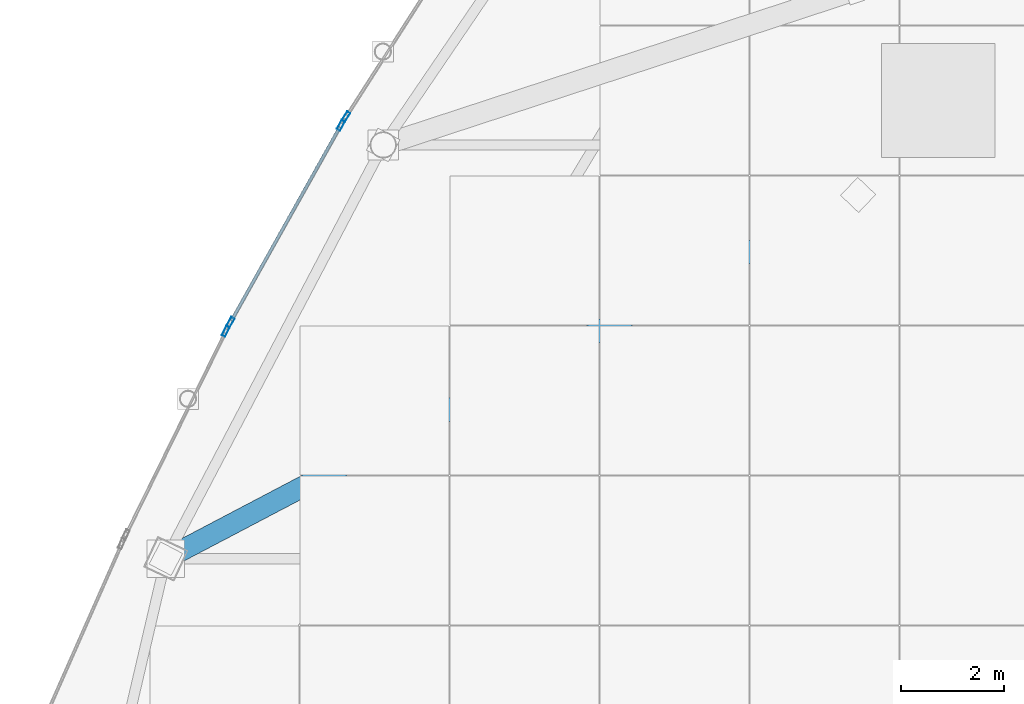
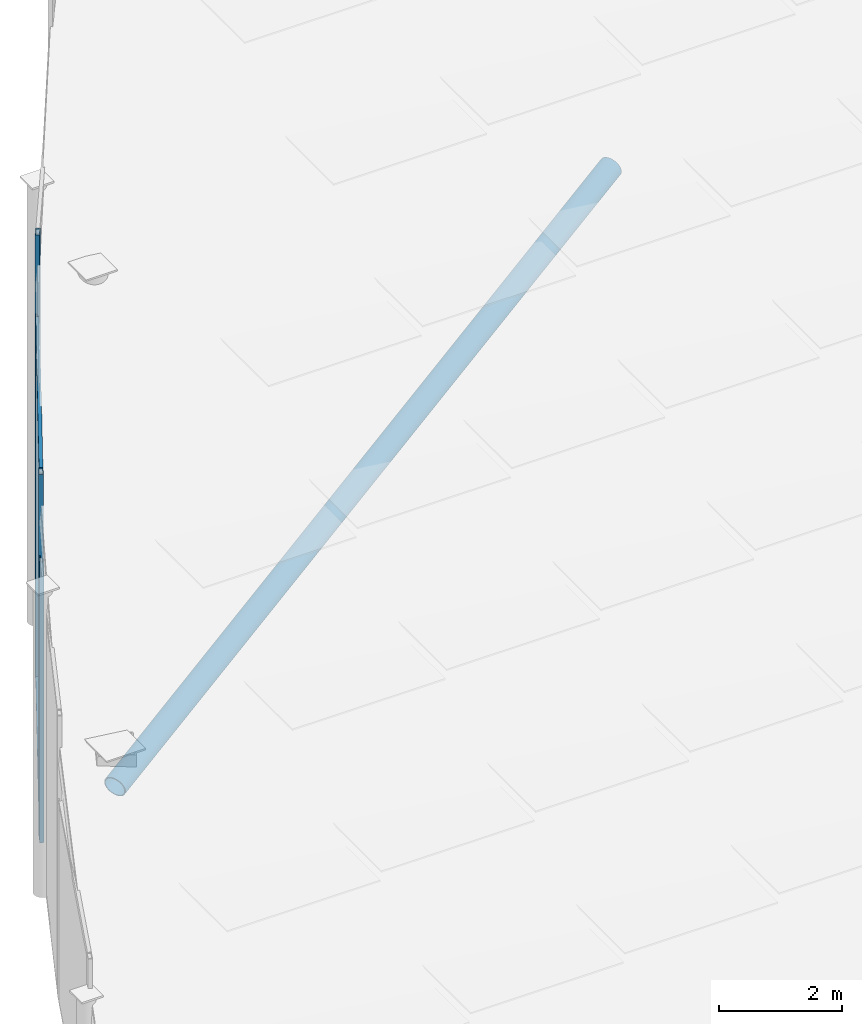
# One storey, part 6 of 21: 7 members, 3 elements without a shape of their own.
"""IFC4 building model written with IfcOpenShell, lengths in metres."""

import ifcopenshell
import ifcopenshell.guid

model = None  # the IFC model being written
_history = None  # IfcOwnerHistory: only IFC2X3 demands one
_inside = {}  # id of a spatial element -> (the spatial element, [elements in it])
_under = {}  # id of a project, library or spatial element -> (it, [spatial elements below it])
_declared = {}  # id of a project -> (the project, [libraries it declares])
_typed = {}  # id of a type object -> (the type object, [elements of that type])
_made_of = {}  # id of a material, layer set ... -> (it, [elements and type objects made of it])


def new_model(schema):
    """Start an empty IFC model of exactly this schema.

    Asked for "IFC4X3", IfcOpenShell would pick the latest addendum, in which some entities
    have other attributes; the version numbers below select the first issue.
    IFC2X3 requires an IfcOwnerHistory on every rooted entity: one is made here for all.
    """
    global model, _history
    if schema == "IFC4X3":
        model = ifcopenshell.file(schema_version=(4, 3, 0, 0))
    else:
        model = ifcopenshell.file(schema=schema)
    _inside.clear()
    _under.clear()
    _declared.clear()
    _typed.clear()
    _made_of.clear()
    _history = None
    if model.schema == "IFC2X3":
        org = make("IfcOrganization", Name="unknown")
        user = make(
            "IfcPersonAndOrganization",
            ThePerson=make("IfcPerson", FamilyName="unknown"),
            TheOrganization=org,
        )
        app = make(
            "IfcApplication",
            ApplicationDeveloper=org,
            Version="unknown",
            ApplicationFullName="unknown",
            ApplicationIdentifier="unknown",
        )
        _history = make(
            "IfcOwnerHistory",
            OwningUser=user,
            OwningApplication=app,
            ChangeAction="ADDED",
            CreationDate=0,
        )
    return model


def make(cls, **values):
    """One entity of the class cls with the attributes given. An attribute that is None is left unset."""
    return model.create_entity(
        cls, **{name: value for name, value in values.items() if value is not None}
    )


def rooted(cls, **values):
    """An entity with a GlobalId (a new one), such as an element, a storey or a relation."""
    return make(cls, GlobalId=ifcopenshell.guid.new(), OwnerHistory=_history, **values)


def si_unit(unit_type, name, prefix=None):
    """IfcSIUnit, for example si_unit("LENGTHUNIT", "METRE", prefix="MILLI")."""
    return make("IfcSIUnit", UnitType=unit_type, Prefix=prefix, Name=name)


def assignment(units):
    """IfcUnitAssignment: the units of a project."""
    return None if units is None else make("IfcUnitAssignment", Units=units)


def point(xyz):
    """IfcCartesianPoint."""
    return None if xyz is None else make("IfcCartesianPoint", Coordinates=xyz)


def direction(xyz):
    """IfcDirection."""
    return None if xyz is None else make("IfcDirection", DirectionRatios=xyz)


def frame(location, z_axis=None, x_axis=None):
    """IfcAxis2Placement3D, a coordinate frame: its origin and axes. An axis left out is left unset."""
    return make(
        "IfcAxis2Placement3D",
        Location=point(location),
        Axis=direction(z_axis),
        RefDirection=direction(x_axis),
    )


def frame_2d(location, x_axis=None):
    """IfcAxis2Placement2D, a coordinate frame in the plane: its origin and x axis."""
    return make(
        "IfcAxis2Placement2D", Location=point(location), RefDirection=direction(x_axis)
    )


def origin():
    """The frame at (0, 0, 0) with its axes left unset."""
    return frame((0.0, 0.0, 0.0))


def origin_2d():
    """The frame at (0, 0) in the plane with its x axis left unset."""
    return frame_2d((0.0, 0.0))


def place(relative_to, where):
    """IfcLocalPlacement: puts the frame where relative to a parent placement (None: the world)."""
    return make(
        "IfcLocalPlacement", PlacementRelTo=relative_to, RelativePlacement=where
    )


def context(
    kind, dimensions, precision=None, world=None, true_north=None, identifier=None
):
    """IfcGeometricRepresentationContext, for example the 3D "Model" context."""
    return make(
        "IfcGeometricRepresentationContext",
        ContextIdentifier=identifier,
        ContextType=kind,
        CoordinateSpaceDimension=dimensions,
        Precision=precision,
        WorldCoordinateSystem=world,
        TrueNorth=true_north,
    )


def subcontext(parent, identifier, kind, view, scale=None):
    """IfcGeometricRepresentationSubContext, for example "Body" below "Model"."""
    return make(
        "IfcGeometricRepresentationSubContext",
        ContextIdentifier=identifier,
        ContextType=kind,
        ParentContext=parent,
        TargetScale=scale,
        TargetView=view,
    )


def project(units=None, contexts=None):
    """IfcProject with its units and contexts."""
    return rooted(
        "IfcProject",
        Name="project",
        RepresentationContexts=contexts,
        UnitsInContext=assignment(units),
    )


def spatial(cls, under=None, at=None, **own):
    """A site, building, storey or space (cls), placed at a placement, below another one or the project."""
    s = rooted(cls, ObjectPlacement=at, **own)
    if under is not None:
        _under.setdefault(under.id(), (under, []))[1].append(s)
    return s


def profile(cls, at=None, kind="AREA", **sizes):
    """A parametric profile (cls). Its sizes go by their IFC names, for example OverallWidth=200.0."""
    return make(cls, ProfileType=kind, Position=at, **sizes)


def hollow_rectangle(**sizes):
    """IfcRectangleHollowProfileDef."""
    return profile("IfcRectangleHollowProfileDef", **sizes)


def hollow_circle(**sizes):
    """IfcCircleHollowProfileDef."""
    return profile("IfcCircleHollowProfileDef", **sizes)


def extrude(swept, where, along, depth):
    """IfcExtrudedAreaSolid: the profile swept, set in the frame where, extruded along a direction by depth."""
    return make(
        "IfcExtrudedAreaSolid",
        SweptArea=swept,
        Position=where,
        ExtrudedDirection=direction(along),
        Depth=depth,
    )


def shape(context_of_items, identifier, shape_type, items):
    """IfcShapeRepresentation: the items that make up one representation, for example the "Body"."""
    return make(
        "IfcShapeRepresentation",
        ContextOfItems=context_of_items,
        RepresentationIdentifier=identifier,
        RepresentationType=shape_type,
        Items=items,
    )


def material(Name=None, Category=None):
    """IfcMaterial."""
    return make("IfcMaterial", Name=Name, Category=Category)


def layer(
    of_material, thickness, ventilated=None, Name=None, Category=None, Priority=None
):
    """IfcMaterialLayer: one layer of a wall or slab, of a material (None: an air gap)."""
    return make(
        "IfcMaterialLayer",
        Material=of_material,
        LayerThickness=thickness,
        IsVentilated=ventilated,
        Name=Name,
        Category=Category,
        Priority=Priority,
    )


def layer_set(layers, Name=None):
    """IfcMaterialLayerSet."""
    return make("IfcMaterialLayerSet", MaterialLayers=layers, LayerSetName=Name)


def material_profile(
    of_material, cross_section, Name=None, Category=None, Priority=None
):
    """IfcMaterialProfile: a cross section and its material."""
    return make(
        "IfcMaterialProfile",
        Name=Name,
        Material=of_material,
        Profile=cross_section,
        Priority=Priority,
        Category=Category,
    )


def profile_set(profiles, Name=None, composite=None):
    """IfcMaterialProfileSet."""
    return make(
        "IfcMaterialProfileSet",
        Name=Name,
        MaterialProfiles=profiles,
        CompositeProfile=composite,
    )


def made_of(thing, what):
    """Note that an element or type object is made of a material, layer set ...; save() writes the relation."""
    if what is not None:
        _made_of.setdefault(what.id(), (what, []))[1].append(thing)
    return thing


def type_object(cls, material=None, **own):
    """A type object (cls), such as IfcWallType, which elements share."""
    return made_of(rooted(cls, **own), material)


def element(
    cls,
    number,
    at=None,
    inside=None,
    cuts=None,
    type_object=None,
    material=None,
    context=None,
    identifier="Body",
    shape_type=None,
    held_by="IfcProductDefinitionShape",
    body=None,
    shapes=None,
    **own,
):
    """One element of the class cls, such as IfcWall. Its Tag is "e" and its number.

    at: its placement. inside: the storey or other place that contains it. cuts: it is an
    opening in that element (IfcRelVoidsElement). A single representation is given by context,
    identifier, shape_type and body (its items); several are given by shapes. held_by: the class
    of the entity that holds the representations. save() writes the other relations.
    """
    e = rooted(cls, Tag="e%d" % number, ObjectPlacement=at, **own)
    if body is not None:
        shapes = [shape(context, identifier, shape_type, body)]
    if shapes is not None:
        e.Representation = make(held_by, Representations=shapes)
    if inside is not None:
        _inside.setdefault(inside.id(), (inside, []))[1].append(e)
    if cuts is not None:
        rooted(
            "IfcRelVoidsElement", RelatingBuildingElement=cuts, RelatedOpeningElement=e
        )
    if type_object is not None:
        _typed.setdefault(type_object.id(), (type_object, []))[1].append(e)
    return made_of(e, material)


def aggregate(whole, parts):
    """IfcRelAggregates: a whole, such as a stair, and the parts it consists of."""
    return rooted("IfcRelAggregates", RelatingObject=whole, RelatedObjects=parts)


def save(model, path):
    """Write the relations noted so far, then the file.

    IfcRelAggregates (storeys below a building ...), IfcRelContainedInSpatialStructure (elements
    in a storey), IfcRelDefinesByType, IfcRelAssociatesMaterial and IfcRelDeclares: one each for
    every whole, place, type object, material and project.
    """
    for whole, parts in _under.values():
        aggregate(whole, parts)
    for where, things in _inside.values():
        rooted(
            "IfcRelContainedInSpatialStructure",
            RelatedElements=things,
            RelatingStructure=where,
        )
    for kind, things in _typed.values():
        rooted("IfcRelDefinesByType", RelatedObjects=things, RelatingType=kind)
    for what, things in _made_of.values():
        rooted("IfcRelAssociatesMaterial", RelatedObjects=things, RelatingMaterial=what)
    for by, libraries in _declared.values():
        rooted("IfcRelDeclares", RelatingContext=by, RelatedDefinitions=libraries)
    model.write(path)


model = new_model("IFC4")

# Units and contexts
model_context = context("Model", 3, precision=1e-05, world=origin(), true_north=direction((0.0, 1.0)))
body_context = subcontext(model_context, "Body", "Model", "MODEL_VIEW")
ifc_project = project(units=[si_unit("LENGTHUNIT", "METRE"), si_unit("AREAUNIT", "SQUARE_METRE"), si_unit("VOLUMEUNIT", "CUBIC_METRE"), si_unit("PLANEANGLEUNIT", "RADIAN"), si_unit("MASSUNIT", "GRAM", prefix="KILO")], contexts=[model_context])

# Site, building, storey
site_placement = place(None, origin())
site = spatial("IfcSite", under=ifc_project, at=site_placement, CompositionType="ELEMENT")
building_placement = place(site_placement, origin())
building = spatial("IfcBuilding", under=site, at=building_placement, Name="Orvanel Arch Residences", CompositionType="ELEMENT")
storey_placement = place(building_placement, frame((0.0, 0.0, 314.89990234375)))
storey = spatial("IfcBuildingStorey", under=building, at=storey_placement, Name="RF", CompositionType="ELEMENT", Elevation=314.89990234375)

# Curtain wall, member
ifc_material_1 = material(Name="Bronze-anodised aluminium AA6063-T6", Category="aluminium")
ifc_layer = layer(ifc_material_1, 0.2099609375)
ifc_layer_set = layer_set([ifc_layer], Name="Bronze-anodised aluminium AA6063-T6")
curtain_wall_type = type_object("IfcCurtainWallType", Name="CW7-TOP-SYS", PredefinedType="NOTDEFINED", material=ifc_layer_set)
curtain_wall_1_placement = place(storey_placement, origin())
curtain_wall_1 = element("IfcCurtainWall", 1, at=curtain_wall_1_placement, inside=storey, type_object=curtain_wall_type, Name="RF CW7-TOP-SYS Unitised Curtain Wall", PredefinedType="NOTDEFINED")
ifc_material_profile_1 = material_profile(ifc_material_1, hollow_rectangle(XDim=0.074951171875, YDim=0.199951171875, WallThickness=0.0048828125, at=origin_2d()), Name="ALU200x75x5")
ifc_profile_set_1 = profile_set([ifc_material_profile_1], Name="Bronze-anodised aluminium AA6063-T6")
member_type_1 = type_object("IfcMemberType", Name="MUL-200x75", PredefinedType="MULLION", material=ifc_profile_set_1)
member_1_placement = place(storey_placement, frame((19.84912109375, 28.1865234375, 0.0), z_axis=(0.0, 0.0, 1.0), x_axis=(0.841866013197, -0.539686590369, 0.0)))
member_1 = element("IfcMember", 2, at=member_1_placement, type_object=member_type_1, Name="CW-S7 mullion 2", PredefinedType="MULLION", context=body_context, shape_type="SweptSolid", body=[
    extrude(hollow_rectangle(XDim=0.074951171875, YDim=0.199951171875, WallThickness=0.0048828125, at=origin_2d()), origin(), (0.0, 0.0, 1.0), 8.744140625),
])
aggregate(curtain_wall_1, [member_1])

# Curtain wall, members
curtain_wall_2_placement = place(storey_placement, origin())
curtain_wall_2 = element("IfcCurtainWall", 3, at=curtain_wall_2_placement, inside=storey, type_object=curtain_wall_type, Name="RF CW7-TOP-SYS Unitised Curtain Wall", PredefinedType="NOTDEFINED")
member_2_placement = place(storey_placement, frame((19.749755859375, 28.019287109375, 0.0), z_axis=(0.0, 0.0, 1.0), x_axis=(0.872302385921, -0.488966816375, 0.0)))
member_2 = element("IfcMember", 4, at=member_2_placement, type_object=member_type_1, Name="CW-S7 mullion 1", PredefinedType="MULLION", context=body_context, shape_type="SweptSolid", body=[
    extrude(hollow_rectangle(XDim=0.074951171875, YDim=0.199951171875, WallThickness=0.0048828125, at=origin_2d()), origin(), (0.0, 0.0, 1.0), 7.177001953125),
])
member_3_placement = place(storey_placement, frame((17.615234375, 24.211669921875, 0.0), z_axis=(0.0, 0.0, 1.0), x_axis=(0.872302385921, -0.488966816375, 0.0)))
member_3 = element("IfcMember", 5, at=member_3_placement, type_object=member_type_1, Name="CW-S7 mullion 2", PredefinedType="MULLION", context=body_context, shape_type="SweptSolid", body=[
    extrude(hollow_rectangle(XDim=0.074951171875, YDim=0.199951171875, WallThickness=0.0048828125, at=origin_2d()), origin(), (0.0, 0.0, 1.0), 7.177001953125),
])

# Curtain wall, member
curtain_wall_3_placement = place(storey_placement, origin())
curtain_wall_3 = element("IfcCurtainWall", 6, at=curtain_wall_3_placement, inside=storey, type_object=curtain_wall_type, Name="RF CW7-TOP-SYS Unitised Curtain Wall", PredefinedType="NOTDEFINED")
member_4_placement = place(storey_placement, frame((17.525390625, 24.039306640625, 0.0), z_axis=(0.0, 0.0, 1.0), x_axis=(0.897504434284, -0.441005431305, 0.0)))
member_4 = element("IfcMember", 7, at=member_4_placement, type_object=member_type_1, Name="CW-S7 mullion 1", PredefinedType="MULLION", context=body_context, shape_type="SweptSolid", body=[
    extrude(hollow_rectangle(XDim=0.074951171875, YDim=0.199951171875, WallThickness=0.0048828125, at=origin_2d()), origin(), (0.0, 0.0, 1.0), 5.5751953125),
])
aggregate(curtain_wall_3, [member_4])

# Member
ifc_material_2 = material(Name="Structural steel AS/NZS 1163 C350L0 (Grade 350)", Category="steel")
ifc_material_profile_2 = material_profile(ifc_material_2, hollow_circle(Radius=0.202880859375, WallThickness=0.01611328125, at=origin_2d()), Name="CHS406x16")
ifc_profile_set_2 = profile_set([ifc_material_profile_2], Name="Structural steel AS/NZS 1163 C350L0 (Grade 350)")
member_type_2 = type_object("IfcMemberType", Name="RF-406CHS-EXT", PredefinedType="RAFTER", material=ifc_profile_set_2)
member_5_placement = place(storey_placement, frame((16.366943359375, 19.64208984375, 4.1162109375), z_axis=(0.86400803273, 0.454046726359, 0.217558474119), x_axis=(-0.465189270523, 0.88521124179, 0.0)))
element("IfcMember", 8, at=member_5_placement, inside=storey, type_object=member_type_2, Name="RF Slanted Crown Structural Soffit Rafter 13", PredefinedType="RAFTER", context=body_context, shape_type="SweptSolid", body=[
    extrude(hollow_circle(Radius=0.202880859375, WallThickness=0.01611328125, at=origin_2d()), origin(), (0.0, 0.0, 1.0), 15.489501953125),
])

ifc_material_profile_3 = material_profile(ifc_material_1, hollow_rectangle(XDim=0.06494140625, YDim=0.14990234375, WallThickness=0.00390625, at=origin_2d()), Name="ALU150x65x4")
ifc_profile_set_3 = profile_set([ifc_material_profile_3], Name="Bronze-anodised aluminium AA6063-T6")
member_type_3 = type_object("IfcMemberType", Name="TRN-150x65", PredefinedType="USERDEFINED", material=ifc_profile_set_3)
member_6_placement = place(storey_placement, frame((19.7314453125, 27.986572265625, 0.03271484375), z_axis=(-0.488963775224, -0.872304090623, 0.0), x_axis=(0.872304090623, -0.488963775224, 0.0)))
member_6 = element("IfcMember", 9, at=member_6_placement, type_object=member_type_3, Name="CW-S7 transom 1.1", ObjectType="TRANSOM", PredefinedType="USERDEFINED", context=body_context, shape_type="SweptSolid", body=[
    extrude(hollow_rectangle(XDim=0.06494140625, YDim=0.14990234375, WallThickness=0.00390625, at=origin_2d()), origin(), (0.0, 0.0, 1.0), 4.2900390625),
])

member_7_placement = place(storey_placement, frame((19.7314453125, 27.986572265625, 7.14453125), z_axis=(-0.488963775224, -0.872304090623, 0.0), x_axis=(0.872304090623, -0.488963775224, 0.0)))
member_7 = element("IfcMember", 10, at=member_7_placement, type_object=member_type_3, Name="CW-S7 transom 1.2", ObjectType="TRANSOM", PredefinedType="USERDEFINED", context=body_context, shape_type="SweptSolid", body=[
    extrude(hollow_rectangle(XDim=0.06494140625, YDim=0.14990234375, WallThickness=0.00390625, at=origin_2d()), origin(), (0.0, 0.0, 1.0), 4.2900390625),
])

aggregate(curtain_wall_2, [member_2, member_3, member_6, member_7])

save(model, "model.ifc")
